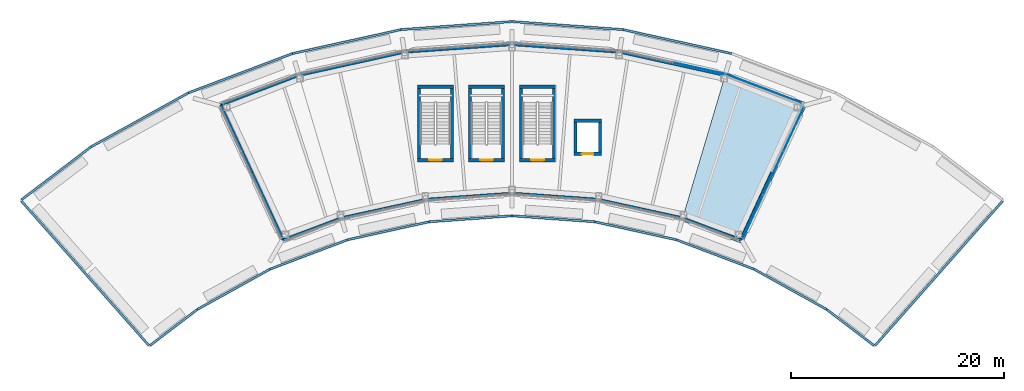
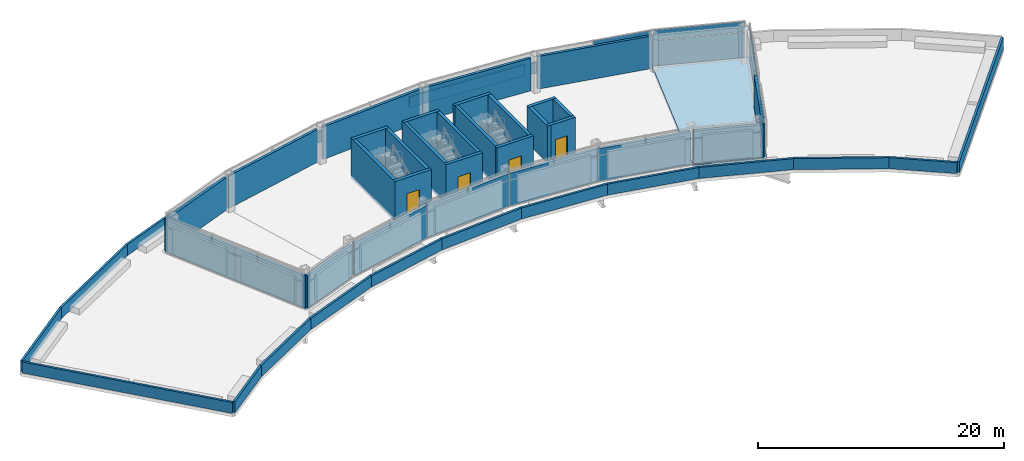
# One storey, part 6 of 9: 49 walls, 9 plates, 4 doors, 1 slab, 4 openings, 3 elements without a shape of their own.
"""IFC4 building model written with IfcOpenShell, lengths in metres."""

from ifc_helpers import new_model, si_unit, direction, frame, frame_2d, origin, origin_2d, place, context, subcontext, project, spatial, polyline, rectangle, outline, extrude, material, layer, layer_set, type_object, element, fill, aggregate, save


model = new_model("IFC4")

# Units and contexts
model_context = context("Model", 3, precision=1e-05, world=origin(), true_north=direction((0.0, 1.0)))
body_context = subcontext(model_context, "Body", "Model", "MODEL_VIEW")
ifc_project = project(units=[si_unit("LENGTHUNIT", "METRE"), si_unit("AREAUNIT", "SQUARE_METRE"), si_unit("VOLUMEUNIT", "CUBIC_METRE"), si_unit("PLANEANGLEUNIT", "RADIAN"), si_unit("MASSUNIT", "GRAM", prefix="KILO")], contexts=[model_context])

# Site, building, storey
site_placement = place(None, origin())
site = spatial("IfcSite", under=ifc_project, at=site_placement, CompositionType="ELEMENT")
building_placement = place(site_placement, origin())
building = spatial("IfcBuilding", under=site, at=building_placement, Name="Tuul Gate Civic Tower", CompositionType="ELEMENT")
storey_placement = place(building_placement, frame((0.0, 0.0, 368.10009765625)))
storey = spatial("IfcBuildingStorey", under=building, at=storey_placement, Name="Crown tier 2 lower", CompositionType="ELEMENT", Elevation=368.10009765625)

# Curtain wall, plates
ifc_material_1 = material(Name="Aluminium", Category="aluminium")
ifc_layer_1 = layer(ifc_material_1, 0.199951171875)
ifc_layer_set_1 = layer_set([ifc_layer_1], Name="Aluminium")
curtain_wall_type = type_object("IfcCurtainWallType", Name="Curtain wall CW5", PredefinedType="NOTDEFINED", material=ifc_layer_set_1)
curtain_wall_1_placement = place(storey_placement, origin())
curtain_wall_1 = element("IfcCurtainWall", 1, at=curtain_wall_1_placement, inside=storey, type_object=curtain_wall_type, Name="Curtain wall CW5", PredefinedType="NOTDEFINED")
ifc_material_2 = material(Name="Insulated glass", Category="glass")
ifc_layer_2 = layer(ifc_material_2, 0.030029296875)
ifc_layer_set_2 = layer_set([ifc_layer_2], Name="Insulated glass")
plate_type = type_object("IfcPlateType", Name="CW5 panel", PredefinedType="CURTAIN_PANEL", material=ifc_layer_set_2)
plate_1_placement = place(storey_placement, frame((25.847412109375, 5.988037109375, 0.06005859375), z_axis=(0.0, 0.0, 1.0), x_axis=(-0.935379340792, 0.353645993643, 0.0)))
plate_1 = element("IfcPlate", 2, at=plate_1_placement, type_object=plate_type, Name="Panel", PredefinedType="CURTAIN_PANEL", context=body_context, shape_type="SweptSolid", body=[
    extrude(rectangle(XDim=7.565673828125, YDim=0.030029296875, at=origin_2d()), origin(), (0.0, 0.0, 1.0), 2.510009765625),
])
plate_2_placement = place(storey_placement, frame((25.847412109375, 5.988037109375, 2.6298828125), z_axis=(0.0, 0.0, 1.0), x_axis=(-0.935379340792, 0.353645993643, 0.0)))
plate_2 = element("IfcPlate", 3, at=plate_2_placement, type_object=plate_type, Name="Panel", PredefinedType="CURTAIN_PANEL", context=body_context, shape_type="SweptSolid", body=[
    extrude(rectangle(XDim=7.565673828125, YDim=0.030029296875, at=origin_2d()), origin(), (0.0, 0.0, 1.0), 1.010009765625),
])
aggregate(curtain_wall_1, [plate_1, plate_2])

# Curtain wall, plate
curtain_wall_2_placement = place(storey_placement, origin())
curtain_wall_2 = element("IfcCurtainWall", 4, at=curtain_wall_2_placement, inside=storey, type_object=curtain_wall_type, Name="Curtain wall CW5", PredefinedType="NOTDEFINED")
plate_3_placement = place(storey_placement, frame((19.75732421875, 7.89697265625, 2.6298828125), z_axis=(0.0, 0.0, 1.0), x_axis=(-0.976567587853, 0.215210934562, 0.0)))
plate_3 = element("IfcPlate", 5, at=plate_3_placement, type_object=plate_type, Name="Panel", PredefinedType="CURTAIN_PANEL", context=body_context, shape_type="SweptSolid", body=[
    extrude(rectangle(XDim=4.990966796875, YDim=0.030029296875, at=origin_2d()), origin(), (0.0, 0.0, 1.0), 1.010009765625),
])
aggregate(curtain_wall_2, [plate_3])

# Curtain wall, plates
curtain_wall_3_placement = place(storey_placement, origin())
curtain_wall_3 = element("IfcCurtainWall", 6, at=curtain_wall_3_placement, inside=storey, type_object=curtain_wall_type, Name="Curtain wall CW5", PredefinedType="NOTDEFINED")
plate_4_placement = place(storey_placement, frame((24.837646484375, -6.074462890625, 0.06005859375), z_axis=(0.0, 0.0, 1.0), x_axis=(0.420378549682, 0.90734881659, 0.0)))
plate_4 = element("IfcPlate", 7, at=plate_4_placement, type_object=plate_type, Name="Panel", PredefinedType="CURTAIN_PANEL", context=body_context, shape_type="SweptSolid", body=[
    extrude(rectangle(XDim=4.455078125, YDim=0.030029296875, at=origin_2d()), origin(), (0.0, 0.0, 1.0), 2.510009765625),
])
plate_5_placement = place(storey_placement, frame((24.837646484375, -6.074462890625, 2.6298828125), z_axis=(0.0, 0.0, 1.0), x_axis=(0.420378549682, 0.90734881659, 0.0)))
plate_5 = element("IfcPlate", 8, at=plate_5_placement, type_object=plate_type, Name="Panel", PredefinedType="CURTAIN_PANEL", context=body_context, shape_type="SweptSolid", body=[
    extrude(rectangle(XDim=4.455078125, YDim=0.030029296875, at=origin_2d()), origin(), (0.0, 0.0, 1.0), 1.010009765625),
])
plate_6_placement = place(storey_placement, frame((26.741943359375, -1.964111328125, 0.06005859375), z_axis=(0.0, 0.0, 1.0), x_axis=(0.420378549682, 0.90734881659, 0.0)))
plate_6 = element("IfcPlate", 9, at=plate_6_placement, type_object=plate_type, Name="Panel", PredefinedType="CURTAIN_PANEL", context=body_context, shape_type="SweptSolid", body=[
    extrude(rectangle(XDim=4.485107421875, YDim=0.030029296875, at=origin_2d()), origin(), (0.0, 0.0, 1.0), 2.510009765625),
])
plate_7_placement = place(storey_placement, frame((26.741943359375, -1.964111328125, 2.6298828125), z_axis=(0.0, 0.0, 1.0), x_axis=(0.420378549682, 0.90734881659, 0.0)))
plate_7 = element("IfcPlate", 10, at=plate_7_placement, type_object=plate_type, Name="Panel", PredefinedType="CURTAIN_PANEL", context=body_context, shape_type="SweptSolid", body=[
    extrude(rectangle(XDim=4.485107421875, YDim=0.030029296875, at=origin_2d()), origin(), (0.0, 0.0, 1.0), 1.010009765625),
])
plate_8_placement = place(storey_placement, frame((28.646240234375, 2.146484375, 0.06005859375), z_axis=(0.0, 0.0, 1.0), x_axis=(0.420378549682, 0.90734881659, 0.0)))
plate_8 = element("IfcPlate", 11, at=plate_8_placement, type_object=plate_type, Name="Panel", PredefinedType="CURTAIN_PANEL", context=body_context, shape_type="SweptSolid", body=[
    extrude(rectangle(XDim=4.455078125, YDim=0.030029296875, at=origin_2d()), origin(), (0.0, 0.0, 1.0), 2.510009765625),
])
plate_9_placement = place(storey_placement, frame((28.646240234375, 2.146484375, 2.6298828125), z_axis=(0.0, 0.0, 1.0), x_axis=(0.420378549682, 0.90734881659, 0.0)))
plate_9 = element("IfcPlate", 12, at=plate_9_placement, type_object=plate_type, Name="Panel", PredefinedType="CURTAIN_PANEL", context=body_context, shape_type="SweptSolid", body=[
    extrude(rectangle(XDim=4.455078125, YDim=0.030029296875, at=origin_2d()), origin(), (0.0, 0.0, 1.0), 1.010009765625),
])
aggregate(curtain_wall_3, [plate_4, plate_5, plate_6, plate_7, plate_8, plate_9])

# Slab
ifc_material_3 = material(Name="Concrete C35/45", Category="concrete")
ifc_layer_3 = layer(ifc_material_3, 0.300048828125)
ifc_layer_set_3 = layer_set([ifc_layer_3], Name="Concrete C35/45")
slab_type = type_object("IfcSlabType", Name="STR-FLOOR-SLAB-300", PredefinedType="FLOOR", material=ifc_layer_set_3)
slab_placement = place(storey_placement, frame((0.0, 0.0, -0.300048828125)))
element("IfcSlab", 13, at=slab_placement, inside=storey, type_object=slab_type, Name="Crown tier 2 lower/slab/E", PredefinedType="FLOOR", context=body_context, shape_type="SweptSolid", body=[
    extrude(outline(polyline([(23.887939453125, -8.430908203125), (23.952880859375, -8.340087890625), (29.81201171875, 4.304931640625), (29.839111328125, 4.424072265625), (29.81689453125, 4.544921875), (29.7490234375, 4.64599609375), (29.64501953125, 4.7119140625), (22.2958984375, 7.490966796875), (18.14990234375, -6.443115234375), (23.574951171875, -8.4951171875), (23.68505859375, -8.513916015625), (23.794921875, -8.491943359375), (23.887939453125, -8.430908203125)])), origin(), (0.0, 0.0, 1.0), 0.300048828125),
])

# Walls
ifc_material_4 = material(Name="Concrete C50/60", Category="concrete")
ifc_layer_4 = layer(ifc_material_4, 0.300048828125)
ifc_layer_set_4 = layer_set([ifc_layer_4], Name="Concrete C50/60")
wall_type_1 = type_object("IfcWallType", Name="Core wall C50/60", PredefinedType="SHEAR", material=ifc_layer_set_4)
for number, where, z_axis, x_axis, name in (
    (14, (-3.449951171875, -0.89990234375, -0.300048828125), (0.0, 0.0, 1.0), (0.0, 1.0, 0.0), "Core wall"),
    (15, (-6.550048828125, 6.300048828125, -0.300048828125), (0.0, 0.0, 1.0), (0.0, -1.0, 0.0), "Core wall"),
):
    element("IfcWall", number, at=place(storey_placement, frame(where, z_axis=z_axis, x_axis=x_axis)), inside=storey, type_object=wall_type_1, Name=name, PredefinedType="SHEAR", context=body_context, shape_type="SweptSolid", body=[
        extrude(rectangle(XDim=7.199951171875, YDim=0.300048828125, at=frame_2d((3.60009765625, 0.0))), origin(), (0.0, 0.0, 1.0), 4.0),
    ])
wall_1_placement = place(storey_placement, frame((-3.300048828125, 6.14990234375, -0.300048828125), z_axis=(0.0, 0.0, 1.0), x_axis=(-1.0, 0.0, 0.0)))
element("IfcWall", 16, at=wall_1_placement, inside=storey, type_object=wall_type_1, Name="Core wall", PredefinedType="SHEAR", context=body_context, shape_type="SweptSolid", body=[
    extrude(rectangle(XDim=3.39990234375, YDim=0.300048828125, at=frame_2d((1.699951171875, 0.0))), origin(), (0.0, 0.0, 1.0), 4.0),
])

# Wall, opening, door
wall_2_placement = place(storey_placement, frame((-3.300048828125, -0.75, -0.300048828125), z_axis=(0.0, 0.0, 1.0), x_axis=(-1.0, 0.0, 0.0)))
wall_2 = element("IfcWall", 17, at=wall_2_placement, inside=storey, type_object=wall_type_1, Name="Core wall", PredefinedType="SHEAR", context=body_context, shape_type="SweptSolid", body=[
    extrude(rectangle(XDim=3.39990234375, YDim=0.300048828125, at=frame_2d((1.699951171875, 0.0))), origin(), (0.0, 0.0, 1.0), 4.0),
])
opening_1_placement = place(wall_2_placement, frame((1.10009765625, 0.0, 0.300048828125)))
opening_1 = element("IfcOpeningElement", 18, at=opening_1_placement, cuts=wall_2, Name="Opening SD-ST-5", PredefinedType="OPENING", context=body_context, shape_type="SweptSolid", body=[
    extrude(rectangle(XDim=1.199951171875, YDim=2.10009765625, at=frame_2d((0.60009765625, 1.050048828125))), frame((0.0, 0.16015625, 0.0), z_axis=(0.0, -1.0, 0.0), x_axis=(1.0, 0.0, 0.0)), (0.0, 0.0, 1.0), 0.320068359375),
])
ifc_material_5 = material(Name="Steel", Category="steel")
door_type_1 = type_object("IfcDoorType", Name="Stair door", OperationType="NOTDEFINED", PredefinedType="DOOR", material=ifc_material_5)
door_1_placement = place(opening_1_placement, origin())
door_1 = element("IfcDoor", 19, at=door_1_placement, inside=storey, type_object=door_type_1, Name="Stair door ST-5", OperationType="SINGLE_SWING_LEFT", OverallHeight=2.10009765625, OverallWidth=1.199951171875, PredefinedType="DOOR", context=body_context, shape_type="SweptSolid", body=[
    extrude(rectangle(XDim=1.199951171875, YDim=2.10009765625, at=frame_2d((0.60009765625, 1.050048828125))), frame((0.0, 0.02490234375, 0.0), z_axis=(0.0, -1.0, 0.0), x_axis=(1.0, 0.0, 0.0)), (0.0, 0.0, 1.0), 0.050048828125),
])
fill(opening_1, door_1)

# Walls
for number, where, z_axis, x_axis, name in (
    (20, (1.35009765625, -0.89990234375, -0.300048828125), (0.0, 0.0, 1.0), (0.0, 1.0, 0.0), "Core wall"),
    (21, (-1.75, 6.300048828125, -0.300048828125), (0.0, 0.0, 1.0), (0.0, -1.0, 0.0), "Core wall"),
):
    element("IfcWall", number, at=place(storey_placement, frame(where, z_axis=z_axis, x_axis=x_axis)), inside=storey, type_object=wall_type_1, Name=name, PredefinedType="SHEAR", context=body_context, shape_type="SweptSolid", body=[
        extrude(rectangle(XDim=7.199951171875, YDim=0.300048828125, at=frame_2d((3.60009765625, 0.0))), origin(), (0.0, 0.0, 1.0), 4.0),
    ])
wall_3_placement = place(storey_placement, frame((1.5, 6.14990234375, -0.300048828125), z_axis=(0.0, 0.0, 1.0), x_axis=(-1.0, 0.0, 0.0)))
element("IfcWall", 22, at=wall_3_placement, inside=storey, type_object=wall_type_1, Name="Core wall", PredefinedType="SHEAR", context=body_context, shape_type="SweptSolid", body=[
    extrude(rectangle(XDim=3.39990234375, YDim=0.300048828125, at=frame_2d((1.699951171875, 0.0))), origin(), (0.0, 0.0, 1.0), 4.0),
])

# Wall, opening, door
wall_4_placement = place(storey_placement, frame((1.5, -0.75, -0.300048828125), z_axis=(0.0, 0.0, 1.0), x_axis=(-1.0, 0.0, 0.0)))
wall_4 = element("IfcWall", 23, at=wall_4_placement, inside=storey, type_object=wall_type_1, Name="Core wall", PredefinedType="SHEAR", context=body_context, shape_type="SweptSolid", body=[
    extrude(rectangle(XDim=3.39990234375, YDim=0.300048828125, at=frame_2d((1.699951171875, 0.0))), origin(), (0.0, 0.0, 1.0), 4.0),
])
opening_2_placement = place(wall_4_placement, frame((1.10009765625, 0.0, 0.300048828125)))
opening_2 = element("IfcOpeningElement", 24, at=opening_2_placement, cuts=wall_4, Name="Opening SD-ST-6", PredefinedType="OPENING", context=body_context, shape_type="SweptSolid", body=[
    extrude(rectangle(XDim=1.199951171875, YDim=2.10009765625, at=frame_2d((0.60009765625, 1.050048828125))), frame((0.0, 0.16015625, 0.0), z_axis=(0.0, -1.0, 0.0), x_axis=(1.0, 0.0, 0.0)), (0.0, 0.0, 1.0), 0.320068359375),
])
door_2_placement = place(opening_2_placement, origin())
door_2 = element("IfcDoor", 25, at=door_2_placement, inside=storey, type_object=door_type_1, Name="Stair door ST-6", OperationType="SINGLE_SWING_LEFT", OverallHeight=2.10009765625, OverallWidth=1.199951171875, PredefinedType="DOOR", context=body_context, shape_type="SweptSolid", body=[
    extrude(rectangle(XDim=1.199951171875, YDim=2.10009765625, at=frame_2d((0.60009765625, 1.050048828125))), frame((0.0, 0.02490234375, 0.0), z_axis=(0.0, -1.0, 0.0), x_axis=(1.0, 0.0, 0.0)), (0.0, 0.0, 1.0), 0.050048828125),
])
fill(opening_2, door_2)

# Walls
for number, where, z_axis, x_axis, name in (
    (26, (6.14990234375, -0.89990234375, -0.300048828125), (0.0, 0.0, 1.0), (0.0, 1.0, 0.0), "Core wall"),
    (27, (3.050048828125, 6.300048828125, -0.300048828125), (0.0, 0.0, 1.0), (0.0, -1.0, 0.0), "Core wall"),
):
    element("IfcWall", number, at=place(storey_placement, frame(where, z_axis=z_axis, x_axis=x_axis)), inside=storey, type_object=wall_type_1, Name=name, PredefinedType="SHEAR", context=body_context, shape_type="SweptSolid", body=[
        extrude(rectangle(XDim=7.199951171875, YDim=0.300048828125, at=frame_2d((3.60009765625, 0.0))), origin(), (0.0, 0.0, 1.0), 4.0),
    ])
wall_5_placement = place(storey_placement, frame((6.300048828125, 6.14990234375, -0.300048828125), z_axis=(0.0, 0.0, 1.0), x_axis=(-1.0, 0.0, 0.0)))
element("IfcWall", 28, at=wall_5_placement, inside=storey, type_object=wall_type_1, Name="Core wall", PredefinedType="SHEAR", context=body_context, shape_type="SweptSolid", body=[
    extrude(rectangle(XDim=3.400146484375, YDim=0.300048828125, at=frame_2d((1.7001953125, 0.0))), origin(), (0.0, 0.0, 1.0), 4.0),
])

# Wall, opening, door
wall_6_placement = place(storey_placement, frame((6.300048828125, -0.75, -0.300048828125), z_axis=(0.0, 0.0, 1.0), x_axis=(-1.0, 0.0, 0.0)))
wall_6 = element("IfcWall", 29, at=wall_6_placement, inside=storey, type_object=wall_type_1, Name="Core wall", PredefinedType="SHEAR", context=body_context, shape_type="SweptSolid", body=[
    extrude(rectangle(XDim=3.400146484375, YDim=0.300048828125, at=frame_2d((1.7001953125, 0.0))), origin(), (0.0, 0.0, 1.0), 4.0),
])
opening_3_placement = place(wall_6_placement, frame((1.10009765625, 0.0, 0.300048828125)))
opening_3 = element("IfcOpeningElement", 30, at=opening_3_placement, cuts=wall_6, Name="Opening SD-ST-7", PredefinedType="OPENING", context=body_context, shape_type="SweptSolid", body=[
    extrude(rectangle(XDim=1.199951171875, YDim=2.10009765625, at=frame_2d((0.60009765625, 1.050048828125))), frame((0.0, 0.16015625, 0.0), z_axis=(0.0, -1.0, 0.0), x_axis=(1.0, 0.0, 0.0)), (0.0, 0.0, 1.0), 0.320068359375),
])
door_3_placement = place(opening_3_placement, origin())
door_3 = element("IfcDoor", 31, at=door_3_placement, inside=storey, type_object=door_type_1, Name="Stair door ST-7", OperationType="SINGLE_SWING_LEFT", OverallHeight=2.10009765625, OverallWidth=1.199951171875, PredefinedType="DOOR", context=body_context, shape_type="SweptSolid", body=[
    extrude(rectangle(XDim=1.199951171875, YDim=2.10009765625, at=frame_2d((0.60009765625, 1.050048828125))), frame((0.0, 0.02490234375, 0.0), z_axis=(0.0, -1.0, 0.0), x_axis=(1.0, 0.0, 0.0)), (0.0, 0.0, 1.0), 0.050048828125),
])
fill(opening_3, door_3)

# Walls
for number, where, z_axis, x_axis, name in (
    (32, (10.449951171875, -0.300048828125, 0.0), (0.0, 0.0, 1.0), (0.0, 1.0, 0.0), "Core wall"),
    (33, (8.14990234375, 3.10009765625, 0.0), (0.0, 0.0, 1.0), (0.0, -1.0, 0.0), "Core wall"),
):
    element("IfcWall", number, at=place(storey_placement, frame(where, z_axis=z_axis, x_axis=x_axis)), inside=storey, type_object=wall_type_1, Name=name, PredefinedType="SHEAR", context=body_context, shape_type="SweptSolid", body=[
        extrude(rectangle(XDim=3.400146484375, YDim=0.300048828125, at=frame_2d((1.7001953125, 0.0))), origin(), (0.0, 0.0, 1.0), 3.699951171875),
    ])
wall_7_placement = place(storey_placement, frame((10.60009765625, 2.949951171875, 0.0), z_axis=(0.0, 0.0, 1.0), x_axis=(-1.0, 0.0, 0.0)))
element("IfcWall", 34, at=wall_7_placement, inside=storey, type_object=wall_type_1, Name="Core wall", PredefinedType="SHEAR", context=body_context, shape_type="SweptSolid", body=[
    extrude(rectangle(XDim=2.60009765625, YDim=0.300048828125, at=frame_2d((1.300048828125, 0.0))), origin(), (0.0, 0.0, 1.0), 3.699951171875),
])

# Wall, opening, door
wall_8_placement = place(storey_placement, frame((10.60009765625, -0.14990234375, 0.0), z_axis=(0.0, 0.0, 1.0), x_axis=(-1.0, 0.0, 0.0)))
wall_8 = element("IfcWall", 35, at=wall_8_placement, inside=storey, type_object=wall_type_1, Name="Core wall", PredefinedType="SHEAR", context=body_context, shape_type="SweptSolid", body=[
    extrude(rectangle(XDim=2.60009765625, YDim=0.300048828125, at=frame_2d((1.300048828125, 0.0))), origin(), (0.0, 0.0, 1.0), 3.699951171875),
])
opening_4_placement = place(wall_8_placement, frame((0.75, 0.0, 0.0)))
opening_4 = element("IfcOpeningElement", 36, at=opening_4_placement, cuts=wall_8, Name="Opening LD-X4", PredefinedType="OPENING", context=body_context, shape_type="SweptSolid", body=[
    extrude(rectangle(XDim=1.10009765625, YDim=2.10009765625, at=frame_2d((0.550048828125, 1.050048828125))), frame((0.0, 0.16015625, 0.0), z_axis=(0.0, -1.0, 0.0), x_axis=(1.0, 0.0, 0.0)), (0.0, 0.0, 1.0), 0.320068359375),
])
ifc_material_6 = material(Name="Stainless steel", Category="steel")
door_type_2 = type_object("IfcDoorType", Name="Landing door", OperationType="DOUBLE_DOOR_SLIDING", PredefinedType="DOOR", material=ifc_material_6)
door_4_placement = place(opening_4_placement, origin())
door_4 = element("IfcDoor", 37, at=door_4_placement, inside=storey, type_object=door_type_2, Name="Crown lift X4 landing door", OperationType="DOUBLE_DOOR_SLIDING", OverallHeight=2.10009765625, OverallWidth=1.10009765625, PredefinedType="DOOR", context=body_context, shape_type="SweptSolid", body=[
    extrude(rectangle(XDim=1.10009765625, YDim=2.10009765625, at=frame_2d((0.550048828125, 1.050048828125))), frame((0.0, 0.02490234375, 0.0), z_axis=(0.0, -1.0, 0.0), x_axis=(1.0, 0.0, 0.0)), (0.0, 0.0, 1.0), 0.050048828125),
])
fill(opening_4, door_4)

# Walls
ifc_material_7 = material(Name="Concrete C40/50", Category="concrete")
ifc_layer_5 = layer(ifc_material_7, 0.199951171875)
ifc_layer_set_5 = layer_set([ifc_layer_5], Name="Concrete C40/50")
wall_type_2 = type_object("IfcWallType", Name="Crown parapet", PredefinedType="PARAPET", material=ifc_layer_set_5)
wall_9_placement = place(storey_placement, frame((36.3232421875, -18.146484375, 0.0), z_axis=(0.0, 0.0, 1.0), x_axis=(0.661683269912, 0.749783468955, 0.0)))
element("IfcWall", 38, at=wall_9_placement, inside=storey, type_object=wall_type_2, Name="Parapet", PredefinedType="PARAPET", context=body_context, shape_type="SweptSolid", body=[
    extrude(rectangle(XDim=18.0791015625, YDim=0.199951171875, at=frame_2d((9.03955078125, 0.0))), origin(), (0.0, 0.0, 1.0), 1.099853515625),
])
wall_10_placement = place(storey_placement, frame((22.8251953125, 9.268798828125, 0.0), z_axis=(0.0, 0.0, 1.0), x_axis=(-0.976572951979, 0.215186592203, 0.0)))
element("IfcWall", 39, at=wall_10_placement, inside=storey, type_object=wall_type_2, Name="Parapet", PredefinedType="PARAPET", context=body_context, shape_type="SweptSolid", body=[
    extrude(rectangle(XDim=10.45263671875, YDim=0.199951171875, at=frame_2d((5.226318359375, 0.0))), origin(), (0.0, 0.0, 1.0), 1.099853515625),
])
wall_11_placement = place(storey_placement, frame((12.617431640625, 11.51806640625, 0.0), z_axis=(0.0, 0.0, 1.0), x_axis=(-0.997383819866, 0.072287729726, 0.0)))
element("IfcWall", 40, at=wall_11_placement, inside=storey, type_object=wall_type_2, Name="Parapet", PredefinedType="PARAPET", context=body_context, shape_type="SweptSolid", body=[
    extrude(rectangle(XDim=10.452880859375, YDim=0.199951171875, at=frame_2d((5.2265625, 0.0))), origin(), (0.0, 0.0, 1.0), 1.099853515625),
])
for number, where, z_axis, x_axis, name in (
    (41, (2.19189453125, 12.273681640625, 0.0), (0.0, 0.0, 1.0), (-0.997383697813, -0.072289413721, 0.0), "Parapet"),
    (42, (-8.2333984375, 11.51806640625, 0.0), (0.0, 0.0, 1.0), (-0.976572951979, -0.215186592203, 0.0), "Parapet"),
):
    element("IfcWall", number, at=place(storey_placement, frame(where, z_axis=z_axis, x_axis=x_axis)), inside=storey, type_object=wall_type_2, Name=name, PredefinedType="PARAPET", context=body_context, shape_type="SweptSolid", body=[
        extrude(rectangle(XDim=10.45263671875, YDim=0.199951171875, at=frame_2d((5.226318359375, 0.0))), origin(), (0.0, 0.0, 1.0), 1.099853515625),
    ])
wall_12_placement = place(storey_placement, frame((-18.441162109375, 9.268798828125, 0.0), z_axis=(0.0, 0.0, 1.0), x_axis=(-0.93536103359, -0.353694411663, 0.0)))
element("IfcWall", 43, at=wall_12_placement, inside=storey, type_object=wall_type_2, Name="Parapet", PredefinedType="PARAPET", context=body_context, shape_type="SweptSolid", body=[
    extrude(rectangle(XDim=10.453369140625, YDim=0.199951171875, at=frame_2d((5.2265625, 0.0))), origin(), (0.0, 0.0, 1.0), 1.099853515625),
])
wall_13_placement = place(storey_placement, frame((-28.21875, 5.571533203125, 0.0), z_axis=(0.0, 0.0, 1.0), x_axis=(-0.874626211374, -0.48479788611, 0.0)))
element("IfcWall", 44, at=wall_13_placement, inside=storey, type_object=wall_type_2, Name="Parapet", PredefinedType="PARAPET", context=body_context, shape_type="SweptSolid", body=[
    extrude(rectangle(XDim=10.45263671875, YDim=0.199951171875, at=frame_2d((5.226318359375, 0.0))), origin(), (0.0, 0.0, 1.0), 1.099853515625),
])
wall_14_placement = place(storey_placement, frame((-37.36083984375, 0.504150390625, 0.0), z_axis=(0.0, 0.0, 1.0), x_axis=(-0.795630422937, -0.605782328974, 0.0)))
element("IfcWall", 45, at=wall_14_placement, inside=storey, type_object=wall_type_2, Name="Parapet", PredefinedType="PARAPET", context=body_context, shape_type="SweptSolid", body=[
    extrude(rectangle(XDim=8.205810546875, YDim=0.199951171875, at=frame_2d((4.10302734375, 0.0))), origin(), (0.0, 0.0, 1.0), 1.099853515625),
])
wall_15_placement = place(storey_placement, frame((-43.90185546875, -4.591064453125, 0.0), z_axis=(0.0, 0.0, 1.0), x_axis=(0.661683269912, -0.749783468955, 0.0)))
element("IfcWall", 46, at=wall_15_placement, inside=storey, type_object=wall_type_2, Name="Parapet", PredefinedType="PARAPET", context=body_context, shape_type="SweptSolid", body=[
    extrude(rectangle(XDim=18.0791015625, YDim=0.199951171875, at=frame_2d((9.03955078125, 0.0))), origin(), (0.0, 0.0, 1.0), 1.099853515625),
])
wall_16_placement = place(storey_placement, frame((-31.826416015625, -18.1572265625, 0.0), z_axis=(0.0, 0.0, 1.0), x_axis=(0.795639461922, 0.605770457049, 0.0)))
element("IfcWall", 47, at=wall_16_placement, inside=storey, type_object=wall_type_2, Name="Parapet", PredefinedType="PARAPET", context=body_context, shape_type="SweptSolid", body=[
    extrude(rectangle(XDim=5.5830078125, YDim=0.199951171875, at=frame_2d((2.79150390625, 0.0))), origin(), (0.0, 0.0, 1.0), 1.099853515625),
])
wall_17_placement = place(storey_placement, frame((-27.38427734375, -14.775146484375, 0.0), z_axis=(0.0, 0.0, 1.0), x_axis=(0.874601871743, 0.484841794757, 0.0)))
element("IfcWall", 48, at=wall_17_placement, inside=storey, type_object=wall_type_2, Name="Parapet", PredefinedType="PARAPET", context=body_context, shape_type="SweptSolid", body=[
    extrude(rectangle(XDim=7.816162109375, YDim=0.199951171875, at=frame_2d((3.908203125, 0.0))), origin(), (0.0, 0.0, 1.0), 1.099853515625),
])
wall_18_placement = place(storey_placement, frame((-20.54833984375, -10.985595703125, 0.0), z_axis=(0.0, 0.0, 1.0), x_axis=(0.935365583702, 0.353682378451, 0.0)))
element("IfcWall", 49, at=wall_18_placement, inside=storey, type_object=wall_type_2, Name="Parapet", PredefinedType="PARAPET", context=body_context, shape_type="SweptSolid", body=[
    extrude(rectangle(XDim=7.816650390625, YDim=0.199951171875, at=frame_2d((3.908203125, 0.0))), origin(), (0.0, 0.0, 1.0), 1.099853515625),
])
for number, where, z_axis, x_axis, name in (
    (50, (-13.23681640625, -8.220947265625, 0.0), (0.0, 0.0, 1.0), (0.97657428105, 0.21518056044, 0.0), "Parapet"),
    (51, (-5.603759765625, -6.5390625, 0.0), (0.0, 0.0, 1.0), (0.997379931539, 0.0723413586, 0.0), "Parapet"),
):
    element("IfcWall", number, at=place(storey_placement, frame(where, z_axis=z_axis, x_axis=x_axis)), inside=storey, type_object=wall_type_2, Name=name, PredefinedType="PARAPET", context=body_context, shape_type="SweptSolid", body=[
        extrude(rectangle(XDim=7.816162109375, YDim=0.199951171875, at=frame_2d((3.908203125, 0.0))), origin(), (0.0, 0.0, 1.0), 1.099853515625),
    ])
wall_19_placement = place(storey_placement, frame((2.19189453125, -5.9736328125, 0.0), z_axis=(0.0, 0.0, 1.0), x_axis=(0.997380094995, -0.072339104973, 0.0)))
element("IfcWall", 52, at=wall_19_placement, inside=storey, type_object=wall_type_2, Name="Parapet", PredefinedType="PARAPET", context=body_context, shape_type="SweptSolid", body=[
    extrude(rectangle(XDim=7.81640625, YDim=0.199951171875, at=frame_2d((3.908203125, 0.0))), origin(), (0.0, 0.0, 1.0), 1.099853515625),
])
wall_20_placement = place(storey_placement, frame((9.98779296875, -6.5390625, 0.0), z_axis=(0.0, 0.0, 1.0), x_axis=(0.97657428105, -0.21518056044, 0.0)))
element("IfcWall", 53, at=wall_20_placement, inside=storey, type_object=wall_type_2, Name="Parapet", PredefinedType="PARAPET", context=body_context, shape_type="SweptSolid", body=[
    extrude(rectangle(XDim=7.816162109375, YDim=0.199951171875, at=frame_2d((3.908203125, 0.0))), origin(), (0.0, 0.0, 1.0), 1.099853515625),
])
wall_21_placement = place(storey_placement, frame((17.620849609375, -8.220947265625, 0.0), z_axis=(0.0, 0.0, 1.0), x_axis=(0.935361676557, -0.353692711301, 0.0)))
element("IfcWall", 54, at=wall_21_placement, inside=storey, type_object=wall_type_2, Name="Parapet", PredefinedType="PARAPET", context=body_context, shape_type="SweptSolid", body=[
    extrude(rectangle(XDim=7.81640625, YDim=0.199951171875, at=frame_2d((3.908203125, 0.0))), origin(), (0.0, 0.0, 1.0), 1.099853515625),
])
wall_22_placement = place(storey_placement, frame((24.93212890625, -10.985595703125, 0.0), z_axis=(0.0, 0.0, 1.0), x_axis=(0.874609214086, -0.484828549732, 0.0)))
element("IfcWall", 55, at=wall_22_placement, inside=storey, type_object=wall_type_2, Name="Parapet", PredefinedType="PARAPET", context=body_context, shape_type="SweptSolid", body=[
    extrude(rectangle(XDim=7.816162109375, YDim=0.199951171875, at=frame_2d((3.908203125, 0.0))), origin(), (0.0, 0.0, 1.0), 1.099853515625),
])
wall_23_placement = place(storey_placement, frame((31.768310546875, -14.775146484375, 0.0), z_axis=(0.0, 0.0, 1.0), x_axis=(0.795639461922, -0.605770457049, 0.0)))
element("IfcWall", 56, at=wall_23_placement, inside=storey, type_object=wall_type_2, Name="Parapet", PredefinedType="PARAPET", context=body_context, shape_type="SweptSolid", body=[
    extrude(rectangle(XDim=5.5830078125, YDim=0.199951171875, at=frame_2d((2.79150390625, 0.0))), origin(), (0.0, 0.0, 1.0), 1.099853515625),
])
ifc_material_8 = material(Name="Precast concrete C40/50", Category="concrete")
ifc_layer_6 = layer(ifc_material_8, 0.25)
ifc_layer_set_6 = layer_set([ifc_layer_6], Name="Precast concrete C40/50")
wall_type_3 = type_object("IfcWallType", Name="External wall", PredefinedType="STANDARD", material=ifc_layer_set_6)
wall_24_placement = place(storey_placement, frame((22.16748046875, 7.23779296875, 0.0), z_axis=(0.0, 0.0, 1.0), x_axis=(-0.976565840179, 0.21521886487, 0.0)))
element("IfcWall", 57, at=wall_24_placement, inside=storey, type_object=wall_type_3, Name="External wall", PredefinedType="STANDARD", context=body_context, shape_type="SweptSolid", body=[
    extrude(rectangle(XDim=9.833984375, YDim=0.25, at=frame_2d((4.9169921875, 0.0))), origin(), (0.0, 0.0, 1.0), 3.25),
])
for number, where, z_axis, x_axis, name in (
    (58, (11.96728515625, 9.434814453125, 0.0), (0.0, 0.0, 1.0), (-0.997549934395, 0.069958047347, 0.0), "External wall"),
    (59, (2.19189453125, 10.120361328125, 0.0), (0.0, 0.0, 1.0), (-0.997549934395, -0.069958047347, 0.0), "External wall"),
):
    element("IfcWall", number, at=place(storey_placement, frame(where, z_axis=z_axis, x_axis=x_axis)), inside=storey, type_object=wall_type_3, Name=name, PredefinedType="STANDARD", context=body_context, shape_type="SweptSolid", body=[
        extrude(rectangle(XDim=9.79931640625, YDim=0.25, at=frame_2d((4.899658203125, 0.0))), origin(), (0.0, 0.0, 1.0), 3.25),
    ])
wall_25_placement = place(storey_placement, frame((-8.179931640625, 9.354248046875, 0.0), z_axis=(0.0, 0.0, 1.0), x_axis=(-0.976565840179, -0.21521886487, 0.0)))
element("IfcWall", 60, at=wall_25_placement, inside=storey, type_object=wall_type_3, Name="External wall", PredefinedType="STANDARD", context=body_context, shape_type="SweptSolid", body=[
    extrude(rectangle(XDim=9.833984375, YDim=0.25, at=frame_2d((4.9169921875, 0.0))), origin(), (0.0, 0.0, 1.0), 3.25),
])
wall_26_placement = place(storey_placement, frame((-18.041015625, 7.1484375, 0.0), z_axis=(0.0, 0.0, 1.0), x_axis=(-0.935373959386, -0.353660226917, 0.0)))
element("IfcWall", 61, at=wall_26_placement, inside=storey, type_object=wall_type_3, Name="External wall", PredefinedType="STANDARD", context=body_context, shape_type="SweptSolid", body=[
    extrude(rectangle(XDim=7.642578125, YDim=0.25, at=frame_2d((3.8212890625, 0.0))), origin(), (0.0, 0.0, 1.0), 3.25),
])
wall_27_placement = place(storey_placement, frame((-25.189697265625, 4.445556640625, 0.0), z_axis=(0.0, 0.0, 1.0), x_axis=(0.420363755163, -0.907355670807, 0.0)))
element("IfcWall", 62, at=wall_27_placement, inside=storey, type_object=wall_type_3, Name="External wall", PredefinedType="STANDARD", context=body_context, shape_type="SweptSolid", body=[
    extrude(rectangle(XDim=7.006103515625, YDim=0.25, at=frame_2d((3.5029296875, 0.0))), origin(), (0.0, 0.0, 1.0), 3.25),
])
wall_28_placement = place(storey_placement, frame((-22.24462890625, -1.911376953125, 0.0), z_axis=(0.0, 0.0, 1.0), x_axis=(0.420379555062, -0.907348350793, 0.0)))
element("IfcWall", 63, at=wall_28_placement, inside=storey, type_object=wall_type_3, Name="External wall", PredefinedType="STANDARD", context=body_context, shape_type="SweptSolid", body=[
    extrude(rectangle(XDim=6.980712890625, YDim=0.25, at=frame_2d((3.490234375, 0.0))), origin(), (0.0, 0.0, 1.0), 3.25),
])
wall_29_placement = place(storey_placement, frame((-19.31005859375, -8.245361328125, 0.0), z_axis=(0.0, 0.0, 1.0), x_axis=(0.93537171747, 0.353666156364, 0.0)))
element("IfcWall", 64, at=wall_29_placement, inside=storey, type_object=wall_type_3, Name="External wall", PredefinedType="STANDARD", context=body_context, shape_type="SweptSolid", body=[
    extrude(rectangle(XDim=5.773681640625, YDim=0.25, at=frame_2d((2.88671875, 0.0))), origin(), (0.0, 0.0, 1.0), 3.25),
])
wall_30_placement = place(storey_placement, frame((-13.637939453125, -6.13330078125, 0.0), z_axis=(0.0, 0.0, 1.0), x_axis=(0.977062032357, 0.212954889416, 0.0)))
element("IfcWall", 65, at=wall_30_placement, inside=storey, type_object=wall_type_3, Name="External wall", PredefinedType="STANDARD", context=body_context, shape_type="SweptSolid", body=[
    extrude(rectangle(XDim=8.0078125, YDim=0.25, at=frame_2d((4.00390625, 0.0))), origin(), (0.0, 0.0, 1.0), 3.25),
])
wall_31_placement = place(storey_placement, frame((-5.813720703125, -4.427978515625, 0.0), z_axis=(0.0, 0.0, 1.0), x_axis=(0.997538517669, 0.070120651497, 0.0)))
element("IfcWall", 66, at=wall_31_placement, inside=storey, type_object=wall_type_3, Name="External wall", PredefinedType="STANDARD", context=body_context, shape_type="SweptSolid", body=[
    extrude(rectangle(XDim=8.025390625, YDim=0.25, at=frame_2d((4.0126953125, 0.0))), origin(), (0.0, 0.0, 1.0), 3.25),
])
wall_32_placement = place(storey_placement, frame((2.19189453125, -3.865234375, 0.0), z_axis=(0.0, 0.0, 1.0), x_axis=(0.99753866724, -0.070118523664, 0.0)))
element("IfcWall", 67, at=wall_32_placement, inside=storey, type_object=wall_type_3, Name="External wall", PredefinedType="STANDARD", context=body_context, shape_type="SweptSolid", body=[
    extrude(rectangle(XDim=8.025634765625, YDim=0.25, at=frame_2d((4.0126953125, 0.0))), origin(), (0.0, 0.0, 1.0), 3.25),
])
wall_33_placement = place(storey_placement, frame((10.19775390625, -4.427978515625, 0.0), z_axis=(0.0, 0.0, 1.0), x_axis=(0.977062032357, -0.212954889416, 0.0)))
element("IfcWall", 68, at=wall_33_placement, inside=storey, type_object=wall_type_3, Name="External wall", PredefinedType="STANDARD", context=body_context, shape_type="SweptSolid", body=[
    extrude(rectangle(XDim=8.0078125, YDim=0.25, at=frame_2d((4.00390625, 0.0))), origin(), (0.0, 0.0, 1.0), 3.25),
])
wall_34_placement = place(storey_placement, frame((18.293212890625, -6.203369140625, 0.0), z_axis=(0.0, 0.0, 1.0), x_axis=(0.93537700607, -0.353652168826, 0.0)))
element("IfcWall", 69, at=wall_34_placement, inside=storey, type_object=wall_type_3, Name="External wall", PredefinedType="STANDARD", context=body_context, shape_type="SweptSolid", body=[
    extrude(rectangle(XDim=5.77392578125, YDim=0.25, at=frame_2d((2.886962890625, 0.0))), origin(), (0.0, 0.0, 1.0), 3.25),
])
wall_35_placement = place(storey_placement, frame((23.694091796875, -8.245361328125, 0.0), z_axis=(0.0, 0.0, 1.0), x_axis=(0.420379555062, 0.907348350793, 0.0)))
element("IfcWall", 70, at=wall_35_placement, inside=storey, type_object=wall_type_3, Name="External wall", PredefinedType="STANDARD", context=body_context, shape_type="SweptSolid", body=[
    extrude(rectangle(XDim=6.980712890625, YDim=0.25, at=frame_2d((3.490234375, 0.0))), origin(), (0.0, 0.0, 1.0), 3.25),
])

save(model, "model.ifc")
